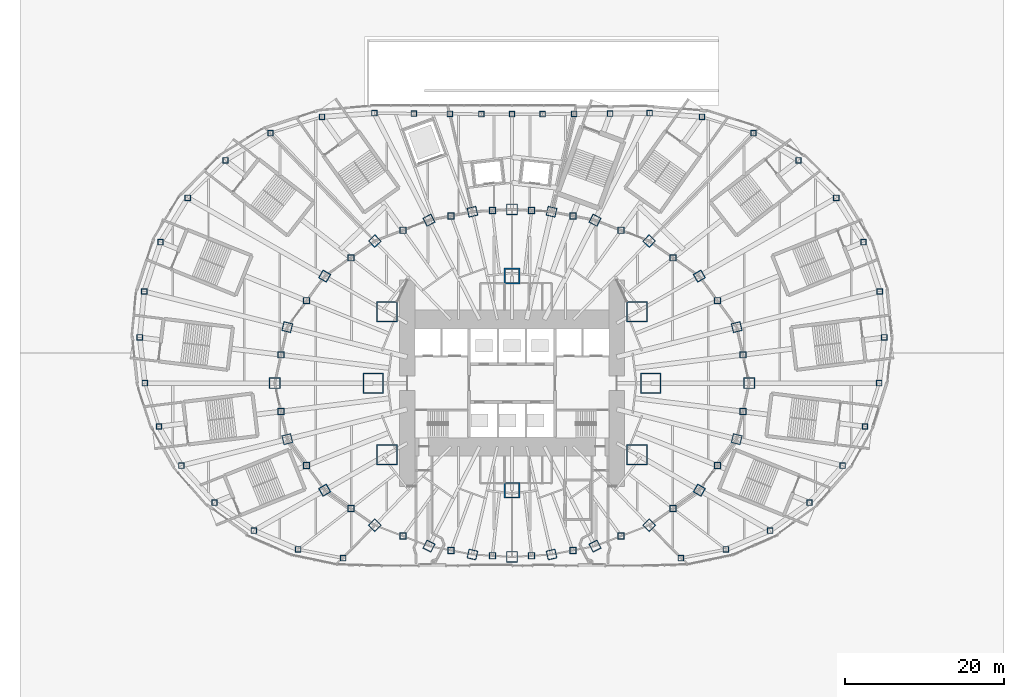
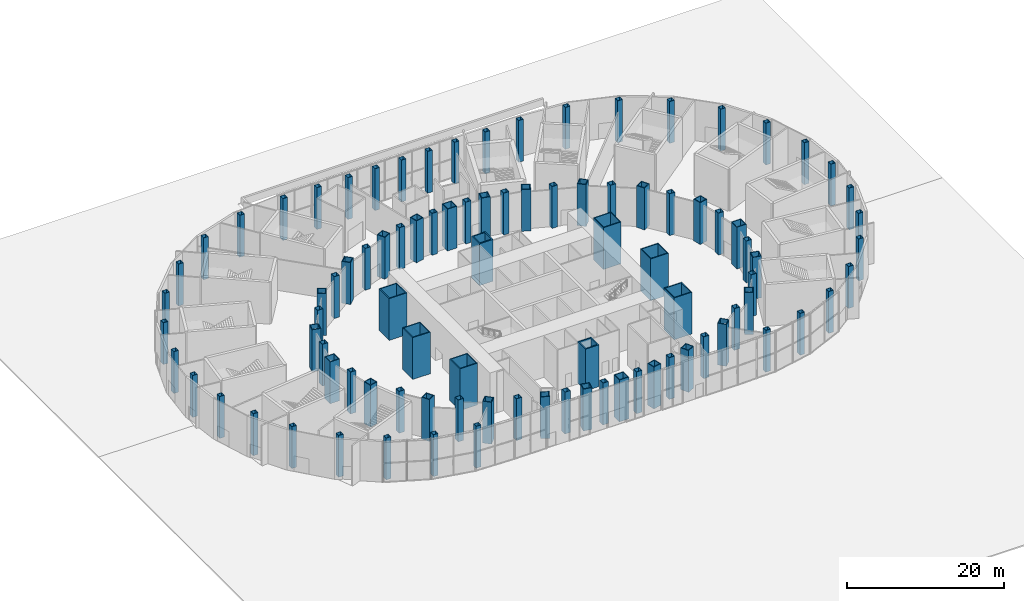
# One storey, part 1 of 47: 93 columns.
"""IFC4 building model written with IfcOpenShell, lengths in metres."""

from ifc_helpers import new_model, si_unit, direction, frame, origin, origin_2d, place, context, subcontext, project, spatial, rectangle, hollow_rectangle, extrude, material, material_profile, profile_set, type_object, element, save


model = new_model("IFC4")

# Units and contexts
model_context = context("Model", 3, precision=1e-05, world=origin(), true_north=direction((0.0, 1.0)))
body_context = subcontext(model_context, "Body", "Model", "MODEL_VIEW")
ifc_project = project(units=[si_unit("LENGTHUNIT", "METRE"), si_unit("AREAUNIT", "SQUARE_METRE"), si_unit("VOLUMEUNIT", "CUBIC_METRE"), si_unit("PLANEANGLEUNIT", "RADIAN"), si_unit("MASSUNIT", "GRAM", prefix="KILO")], contexts=[model_context])

# Site, building, storey
site_placement = place(None, origin())
site = spatial("IfcSite", under=ifc_project, at=site_placement, CompositionType="ELEMENT")
building_placement = place(site_placement, origin())
building = spatial("IfcBuilding", under=site, at=building_placement, Name="Lantaw Convention Tower", CompositionType="ELEMENT")
storey_placement = place(building_placement, origin())
storey = spatial("IfcBuildingStorey", under=building, at=storey_placement, Name="L00", CompositionType="ELEMENT", Elevation=0.0)

# Columns
ifc_material_1 = material(Name="Steel EN 10025-3 S460N", Category="steel")
ifc_material_profile_1 = material_profile(ifc_material_1, hollow_rectangle(XDim=2.0, YDim=2.0, WallThickness=0.169921875, at=origin_2d()), Name="BOX2000X170")
ifc_material_2 = material(Name="Concrete C60/75", Category="concrete")
ifc_material_profile_2 = material_profile(ifc_material_2, rectangle(XDim=1.659912109375, YDim=1.659912109375, at=origin_2d()), Name="Concrete fill of BOX2000X170")
ifc_profile_set_1 = profile_set([ifc_material_profile_1, ifc_material_profile_2], Name="Steel EN 10025-3 S460N")
column_type_1 = type_object("IfcColumnType", Name="Column MC BOX2000X170", PredefinedType="COLUMN", material=ifc_profile_set_1)
for number, where, z_axis, x_axis, name in (
    (1, (0.0, 13.5, 0.0), (0.0, 0.0, 1.0), (1.0, 0.0, 0.0), "Mega column M3"),
    (2, (0.0, -13.5, 0.0), (0.0, 0.0, 1.0), (1.0, 0.0, 0.0), "Mega column M7"),
):
    element("IfcColumn", number, at=place(storey_placement, frame(where, z_axis=z_axis, x_axis=x_axis)), inside=storey, type_object=column_type_1, Name=name, PredefinedType="COLUMN", context=body_context, shape_type="SweptSolid", body=[
        extrude(hollow_rectangle(XDim=2.0, YDim=2.0, WallThickness=0.169921875, at=origin_2d()), origin(), (0.0, 0.0, 1.0), 6.5),
    ])
ifc_material_profile_3 = material_profile(ifc_material_1, hollow_rectangle(XDim=2.60009765625, YDim=2.60009765625, WallThickness=0.1298828125, at=origin_2d()), Name="BOX2600X130")
ifc_material_profile_4 = material_profile(ifc_material_2, rectangle(XDim=2.340087890625, YDim=2.340087890625, at=origin_2d()), Name="Concrete fill of BOX2600X130")
ifc_profile_set_2 = profile_set([ifc_material_profile_3, ifc_material_profile_4], Name="Steel EN 10025-3 S460N")
column_type_2 = type_object("IfcColumnType", Name="Column MC BOX2600X130", PredefinedType="COLUMN", material=ifc_profile_set_2)
for number, where, z_axis, x_axis, name in (
    (3, (17.5, 0.0, 0.0), (0.0, 0.0, 1.0), (1.0, 0.0, 0.0), "Mega column M1"),
    (4, (15.75, 9.0, 0.0), (0.0, 0.0, 1.0), (1.0, 0.0, 0.0), "Mega column M2"),
    (5, (-15.75, 9.0, 0.0), (0.0, 0.0, 1.0), (1.0, 0.0, 0.0), "Mega column M4"),
    (6, (-17.5, 0.0, 0.0), (0.0, 0.0, 1.0), (1.0, 0.0, 0.0), "Mega column M5"),
    (7, (-15.75, -9.0, 0.0), (0.0, 0.0, 1.0), (1.0, 0.0, 0.0), "Mega column M6"),
    (8, (15.75, -9.0, 0.0), (0.0, 0.0, 1.0), (1.0, 0.0, 0.0), "Mega column M8"),
):
    element("IfcColumn", number, at=place(storey_placement, frame(where, z_axis=z_axis, x_axis=x_axis)), inside=storey, type_object=column_type_2, Name=name, PredefinedType="COLUMN", context=body_context, shape_type="SweptSolid", body=[
        extrude(hollow_rectangle(XDim=2.60009765625, YDim=2.60009765625, WallThickness=0.1298828125, at=origin_2d()), origin(), (0.0, 0.0, 1.0), 6.5),
    ])
ifc_material_profile_5 = material_profile(ifc_material_1, hollow_rectangle(XDim=1.199951171875, YDim=1.199951171875, WallThickness=0.10009765625, at=origin_2d()), Name="BOX1200X100")
ifc_material_profile_6 = material_profile(ifc_material_2, rectangle(XDim=1.0, YDim=1.0, at=origin_2d()), Name="Concrete fill of BOX1200X100")
ifc_profile_set_3 = profile_set([ifc_material_profile_5, ifc_material_profile_6], Name="Steel EN 10025-3 S460N")
column_type_3 = type_object("IfcColumnType", Name="Column PC BOX1200X100", PredefinedType="COLUMN", material=ifc_profile_set_3)
for number, where, z_axis, x_axis, name in (
    (9, (28.31787109375, 7.060302734375, 0.0), (0.0, 0.0, 1.0), (0.970295726276, 0.2419218956, 0.0), "Perimeter column P2"),
    (10, (17.290771484375, 17.9052734375, 0.0), (0.0, 0.0, 1.0), (0.694658370459, 0.719339800339, 0.0), "Perimeter column P4"),
    (11, (10.462646484375, 20.533935546875, 0.0), (0.0, 0.0, 1.0), (0.45399049974, 0.891006524188, 0.0), "Perimeter column P5"),
    (12, (4.986328125, 21.59814453125, 0.0), (0.0, 0.0, 1.0), (0.224951054344, 0.974370064785, 0.0), "Perimeter column P6"),
    (13, (-4.986328125, 21.59814453125, 0.0), (0.0, 0.0, 1.0), (0.974370064785, 0.224951054344, 0.0), "Perimeter column P8"),
    (14, (-10.462646484375, 20.533935546875, 0.0), (0.0, 0.0, 1.0), (0.891006524188, 0.45399049974, 0.0), "Perimeter column P9"),
    (15, (-17.290771484375, 17.9052734375, 0.0), (0.0, 0.0, 1.0), (0.719339800339, 0.694658370459, 0.0), "Perimeter column P10"),
    (16, (-28.31787109375, 7.060302734375, 0.0), (0.0, 0.0, 1.0), (0.2419218956, 0.970295726276, 0.0), "Perimeter column P12"),
    (17, (-28.31787109375, -7.060302734375, 0.0), (0.0, 0.0, 1.0), (0.970295726276, 0.2419218956, 0.0), "Perimeter column P14"),
    (18, (-17.290771484375, -17.9052734375, 0.0), (0.0, 0.0, 1.0), (0.694658370459, 0.719339800339, 0.0), "Perimeter column P16"),
    (19, (-10.462646484375, -20.533935546875, 0.0), (0.0, 0.0, 1.0), (0.45399049974, 0.891006524188, 0.0), "Perimeter column P17"),
    (20, (-4.986328125, -21.59814453125, 0.0), (0.0, 0.0, 1.0), (0.224951054344, 0.974370064785, 0.0), "Perimeter column P18"),
    (21, (4.986328125, -21.59814453125, 0.0), (0.0, 0.0, 1.0), (0.974370064785, 0.224951054344, 0.0), "Perimeter column P20"),
    (22, (10.462646484375, -20.533935546875, 0.0), (0.0, 0.0, 1.0), (0.891006524188, 0.45399049974, 0.0), "Perimeter column P21"),
    (23, (17.290771484375, -17.9052734375, 0.0), (0.0, 0.0, 1.0), (0.719339800339, 0.694658370459, 0.0), "Perimeter column P22"),
    (24, (28.31787109375, -7.060302734375, 0.0), (0.0, 0.0, 1.0), (0.2419218956, 0.970295726276, 0.0), "Perimeter column P24"),
):
    element("IfcColumn", number, at=place(storey_placement, frame(where, z_axis=z_axis, x_axis=x_axis)), inside=storey, type_object=column_type_3, Name=name, PredefinedType="COLUMN", context=body_context, shape_type="SweptSolid", body=[
        extrude(hollow_rectangle(XDim=1.199951171875, YDim=1.199951171875, WallThickness=0.10009765625, at=origin_2d()), origin(), (0.0, 0.0, 1.0), 6.5),
    ])
ifc_material_profile_7 = material_profile(ifc_material_1, hollow_rectangle(XDim=1.199951171875, YDim=1.199951171875, WallThickness=0.1201171875, at=origin_2d()), Name="BOX1200X120")
ifc_material_profile_8 = material_profile(ifc_material_2, rectangle(XDim=0.9599609375, YDim=0.9599609375, at=origin_2d()), Name="Concrete fill of BOX1200X120")
ifc_profile_set_4 = profile_set([ifc_material_profile_7, ifc_material_profile_8], Name="Steel EN 10025-3 S460N")
column_type_4 = type_object("IfcColumnType", Name="Column PC BOX1200X120", PredefinedType="COLUMN", material=ifc_profile_set_4)
for number, where, z_axis, x_axis, name in (
    (25, (23.60498046875, 13.488525390625, 0.0), (0.0, 0.0, 1.0), (0.86824298017, 0.496139221777, 0.0), "Perimeter column P3"),
    (26, (-23.60498046875, 13.488525390625, 0.0), (0.0, 0.0, 1.0), (0.496139221777, 0.86824298017, 0.0), "Perimeter column P11"),
    (27, (-23.60498046875, -13.488525390625, 0.0), (0.0, 0.0, 1.0), (0.86824298017, 0.496139221777, 0.0), "Perimeter column P15"),
    (28, (23.60498046875, -13.488525390625, 0.0), (0.0, 0.0, 1.0), (0.496139221777, 0.86824298017, 0.0), "Perimeter column P23"),
):
    element("IfcColumn", number, at=place(storey_placement, frame(where, z_axis=z_axis, x_axis=x_axis)), inside=storey, type_object=column_type_4, Name=name, PredefinedType="COLUMN", context=body_context, shape_type="SweptSolid", body=[
        extrude(hollow_rectangle(XDim=1.199951171875, YDim=1.199951171875, WallThickness=0.1201171875, at=origin_2d()), origin(), (0.0, 0.0, 1.0), 6.5),
    ])
ifc_material_profile_9 = material_profile(ifc_material_1, hollow_rectangle(XDim=1.39990234375, YDim=1.39990234375, WallThickness=0.10009765625, at=origin_2d()), Name="BOX1400X100")
ifc_material_profile_10 = material_profile(ifc_material_2, rectangle(XDim=1.199951171875, YDim=1.199951171875, at=origin_2d()), Name="Concrete fill of BOX1400X100")
ifc_profile_set_5 = profile_set([ifc_material_profile_9, ifc_material_profile_10], Name="Steel EN 10025-3 S460N")
column_type_5 = type_object("IfcColumnType", Name="Column PC BOX1400X100", PredefinedType="COLUMN", material=ifc_profile_set_5)
for number, where, z_axis, x_axis, name in (
    (29, (29.89990234375, 0.0, 0.0), (0.0, 0.0, 1.0), (1.0, 0.0, 0.0), "Perimeter column P1"),
    (30, (0.0, 21.89990234375, 0.0), (0.0, 0.0, 1.0), (1.0, 0.0, 0.0), "Perimeter column P7"),
    (31, (-29.89990234375, 0.0, 0.0), (0.0, 0.0, 1.0), (1.0, 0.0, 0.0), "Perimeter column P13"),
    (32, (0.0, -21.89990234375, 0.0), (0.0, 0.0, 1.0), (1.0, 0.0, 0.0), "Perimeter column P19"),
):
    element("IfcColumn", number, at=place(storey_placement, frame(where, z_axis=z_axis, x_axis=x_axis)), inside=storey, type_object=column_type_5, Name=name, PredefinedType="COLUMN", context=body_context, shape_type="SweptSolid", body=[
        extrude(hollow_rectangle(XDim=1.39990234375, YDim=1.39990234375, WallThickness=0.10009765625, at=origin_2d()), origin(), (0.0, 0.0, 1.0), 6.5),
    ])
ifc_material_3 = material(Name="Steel ASTM A572 Grade 50", Category="steel")
ifc_material_profile_11 = material_profile(ifc_material_3, hollow_rectangle(XDim=0.800048828125, YDim=0.800048828125, WallThickness=0.050048828125, at=origin_2d()), Name="BOX800X50")
ifc_profile_set_6 = profile_set([ifc_material_profile_11], Name="Steel ASTM A572 Grade 50")
column_type_6 = type_object("IfcColumnType", Name="Column QC BOX800X50", PredefinedType="COLUMN", material=ifc_profile_set_6)
for number, where, z_axis, x_axis, name in (
    (33, (29.099365234375, 3.572998046875, 0.0), (0.0, 0.0, 1.0), (1.0, 0.0, 0.0), "Podium ring column Q1"),
    (34, (25.8779296875, 10.388427734375, 0.0), (0.0, 0.0, 1.0), (1.0, 0.0, 0.0), "Podium ring column Q2"),
    (35, (20.30859375, 15.794189453125, 0.0), (0.0, 0.0, 1.0), (1.0, 0.0, 0.0), "Podium ring column Q3"),
    (36, (13.745361328125, 19.270263671875, 0.0), (0.0, 0.0, 1.0), (1.0, 0.0, 0.0), "Podium ring column Q4"),
    (37, (7.671142578125, 21.076416015625, 0.0), (0.0, 0.0, 1.0), (1.0, 0.0, 0.0), "Podium ring column Q5"),
    (38, (2.47802734375, 21.75, 0.0), (0.0, 0.0, 1.0), (1.0, 0.0, 0.0), "Podium ring column Q6"),
    (39, (-2.47802734375, 21.75, 0.0), (0.0, 0.0, 1.0), (1.0, 0.0, 0.0), "Podium ring column Q7"),
    (40, (-7.671142578125, 21.076416015625, 0.0), (0.0, 0.0, 1.0), (1.0, 0.0, 0.0), "Podium ring column Q8"),
    (41, (-13.745361328125, 19.270263671875, 0.0), (0.0, 0.0, 1.0), (1.0, 0.0, 0.0), "Podium ring column Q9"),
    (42, (-20.30859375, 15.794189453125, 0.0), (0.0, 0.0, 1.0), (1.0, 0.0, 0.0), "Podium ring column Q10"),
    (43, (-25.8779296875, 10.388427734375, 0.0), (0.0, 0.0, 1.0), (1.0, 0.0, 0.0), "Podium ring column Q11"),
    (44, (-29.099365234375, 3.572998046875, 0.0), (0.0, 0.0, 1.0), (1.0, 0.0, 0.0), "Podium ring column Q12"),
    (45, (-29.099365234375, -3.572998046875, 0.0), (0.0, 0.0, 1.0), (1.0, 0.0, 0.0), "Podium ring column Q13"),
    (46, (-25.8779296875, -10.388427734375, 0.0), (0.0, 0.0, 1.0), (1.0, 0.0, 0.0), "Podium ring column Q14"),
    (47, (-20.30859375, -15.794189453125, 0.0), (0.0, 0.0, 1.0), (1.0, 0.0, 0.0), "Podium ring column Q15"),
    (48, (-13.745361328125, -19.270263671875, 0.0), (0.0, 0.0, 1.0), (1.0, 0.0, 0.0), "Podium ring column Q16"),
    (49, (-7.671142578125, -21.076416015625, 0.0), (0.0, 0.0, 1.0), (1.0, 0.0, 0.0), "Podium ring column Q17"),
    (50, (-2.47802734375, -21.75, 0.0), (0.0, 0.0, 1.0), (1.0, 0.0, 0.0), "Podium ring column Q18"),
    (51, (2.47802734375, -21.75, 0.0), (0.0, 0.0, 1.0), (1.0, 0.0, 0.0), "Podium ring column Q19"),
    (52, (7.671142578125, -21.076416015625, 0.0), (0.0, 0.0, 1.0), (1.0, 0.0, 0.0), "Podium ring column Q20"),
    (53, (13.745361328125, -19.270263671875, 0.0), (0.0, 0.0, 1.0), (1.0, 0.0, 0.0), "Podium ring column Q21"),
    (54, (20.308837890625, -15.794189453125, 0.0), (0.0, 0.0, 1.0), (1.0, 0.0, 0.0), "Podium ring column Q22"),
    (55, (25.8779296875, -10.388427734375, 0.0), (0.0, 0.0, 1.0), (1.0, 0.0, 0.0), "Podium ring column Q23"),
    (56, (29.099365234375, -3.572998046875, 0.0), (0.0, 0.0, 1.0), (1.0, 0.0, 0.0), "Podium ring column Q24"),
):
    element("IfcColumn", number, at=place(storey_placement, frame(where, z_axis=z_axis, x_axis=x_axis)), inside=storey, type_object=column_type_6, Name=name, PredefinedType="COLUMN", context=body_context, shape_type="SweptSolid", body=[
        extrude(hollow_rectangle(XDim=0.800048828125, YDim=0.800048828125, WallThickness=0.050048828125, at=origin_2d()), origin(), (0.0, 0.0, 1.0), 6.5),
    ])
ifc_material_profile_12 = material_profile(ifc_material_3, hollow_rectangle(XDim=0.699951171875, YDim=0.699951171875, WallThickness=0.0400390625, at=origin_2d()), Name="BOX700X40")
ifc_profile_set_7 = profile_set([ifc_material_profile_12], Name="Steel ASTM A572 Grade 50")
column_type_7 = type_object("IfcColumnType", Name="Column RC BOX700X40", PredefinedType="COLUMN", material=ifc_profile_set_7)
for number, where, z_axis, x_axis, name in (
    (57, (46.907958984375, 5.759521484375, 0.0), (0.0, 0.0, 1.0), (1.0, 0.0, 0.0), "Podium column B00"),
    (58, (44.29248046875, 17.78076171875, 0.0), (0.0, 0.0, 1.0), (1.0, 0.0, 0.0), "Podium column B01"),
    (59, (36.107666015625, 28.081298828125, 0.0), (0.0, 0.0, 1.0), (1.0, 0.0, 0.0), "Podium column B02"),
    (60, (23.940185546875, 33.562744140625, 0.0), (0.0, 0.0, 1.0), (1.0, 0.0, 0.0), "Podium column B03"),
    (61, (12.36279296875, 33.96630859375, 0.0), (0.0, 0.0, 1.0), (1.0, 0.0, 0.0), "Podium column B04"),
    (62, (3.86328125, 33.906982421875, 0.0), (0.0, 0.0, 1.0), (1.0, 0.0, 0.0), "Podium column B05"),
    (63, (-3.86328125, 33.906982421875, 0.0), (0.0, 0.0, 1.0), (1.0, 0.0, 0.0), "Podium column B06"),
    (64, (-12.36279296875, 33.96630859375, 0.0), (0.0, 0.0, 1.0), (1.0, 0.0, 0.0), "Podium column B07"),
    (65, (-23.940185546875, 33.562744140625, 0.0), (0.0, 0.0, 1.0), (1.0, 0.0, 0.0), "Podium column B08"),
    (66, (-36.107666015625, 28.081298828125, 0.0), (0.0, 0.0, 1.0), (1.0, 0.0, 0.0), "Podium column B09"),
    (67, (-44.29248046875, 17.78076171875, 0.0), (0.0, 0.0, 1.0), (1.0, 0.0, 0.0), "Podium column B10"),
    (68, (-46.907958984375, 5.759521484375, 0.0), (0.0, 0.0, 1.0), (1.0, 0.0, 0.0), "Podium column B11"),
    (69, (-44.488525390625, -5.46240234375, 0.0), (0.0, 0.0, 1.0), (1.0, 0.0, 0.0), "Podium column B12"),
    (70, (-37.486572265625, -15.048583984375, 0.0), (0.0, 0.0, 1.0), (1.0, 0.0, 0.0), "Podium column B13"),
    (71, (-26.94287109375, -20.95361328125, 0.0), (0.0, 0.0, 1.0), (1.0, 0.0, 0.0), "Podium column B14"),
    (72, (26.94287109375, -20.95361328125, 0.0), (0.0, 0.0, 1.0), (1.0, 0.0, 0.0), "Podium column B21"),
    (73, (37.486572265625, -15.048583984375, 0.0), (0.0, 0.0, 1.0), (1.0, 0.0, 0.0), "Podium column B22"),
    (74, (44.488525390625, -5.46240234375, 0.0), (0.0, 0.0, 1.0), (1.0, 0.0, 0.0), "Podium column B23"),
    (75, (46.2724609375, 0.0, 0.0), (0.0, 0.0, 1.0), (1.0, 0.0, 0.0), "Podium column R00"),
    (76, (46.342529296875, 11.554443359375, 0.0), (0.0, 0.0, 1.0), (1.0, 0.0, 0.0), "Podium column R01"),
    (77, (40.864013671875, 23.350830078125, 0.0), (0.0, 0.0, 1.0), (1.0, 0.0, 0.0), "Podium column R02"),
    (78, (30.43603515625, 31.517578125, 0.0), (0.0, 0.0, 1.0), (1.0, 0.0, 0.0), "Podium column R03"),
    (79, (17.333984375, 34.019775390625, 0.0), (0.0, 0.0, 1.0), (1.0, 0.0, 0.0), "Podium column R04"),
    (80, (7.8330078125, 33.92822265625, 0.0), (0.0, 0.0, 1.0), (1.0, 0.0, 0.0), "Podium column R05"),
    (81, (0.0, 33.89990234375, 0.0), (0.0, 0.0, 1.0), (1.0, 0.0, 0.0), "Podium column R06"),
    (82, (-7.8330078125, 33.92822265625, 0.0), (0.0, 0.0, 1.0), (1.0, 0.0, 0.0), "Podium column R07"),
    (83, (-17.333984375, 34.019775390625, 0.0), (0.0, 0.0, 1.0), (1.0, 0.0, 0.0), "Podium column R08"),
    (84, (-30.43603515625, 31.517578125, 0.0), (0.0, 0.0, 1.0), (1.0, 0.0, 0.0), "Podium column R09"),
    (85, (-40.864013671875, 23.350830078125, 0.0), (0.0, 0.0, 1.0), (1.0, 0.0, 0.0), "Podium column R10"),
    (86, (-46.342529296875, 11.554443359375, 0.0), (0.0, 0.0, 1.0), (1.0, 0.0, 0.0), "Podium column R11"),
    (87, (-46.2724609375, 0.0, 0.0), (0.0, 0.0, 1.0), (1.0, 0.0, 0.0), "Podium column R12"),
    (88, (-41.67236328125, -10.39013671875, 0.0), (0.0, 0.0, 1.0), (1.0, 0.0, 0.0), "Podium column R13"),
    (89, (-32.5205078125, -18.5830078125, 0.0), (0.0, 0.0, 1.0), (1.0, 0.0, 0.0), "Podium column R14"),
    (90, (-21.290771484375, -22.04736328125, 0.0), (0.0, 0.0, 1.0), (1.0, 0.0, 0.0), "Podium column R15"),
    (91, (21.290771484375, -22.04736328125, 0.0), (0.0, 0.0, 1.0), (1.0, 0.0, 0.0), "Podium column R21"),
    (92, (32.5205078125, -18.5830078125, 0.0), (0.0, 0.0, 1.0), (1.0, 0.0, 0.0), "Podium column R22"),
    (93, (41.67236328125, -10.39013671875, 0.0), (0.0, 0.0, 1.0), (1.0, 0.0, 0.0), "Podium column R23"),
):
    element("IfcColumn", number, at=place(storey_placement, frame(where, z_axis=z_axis, x_axis=x_axis)), inside=storey, type_object=column_type_7, Name=name, PredefinedType="COLUMN", context=body_context, shape_type="SweptSolid", body=[
        extrude(hollow_rectangle(XDim=0.699951171875, YDim=0.699951171875, WallThickness=0.0400390625, at=origin_2d()), origin(), (0.0, 0.0, 1.0), 6.5),
    ])

save(model, "model.ifc")
